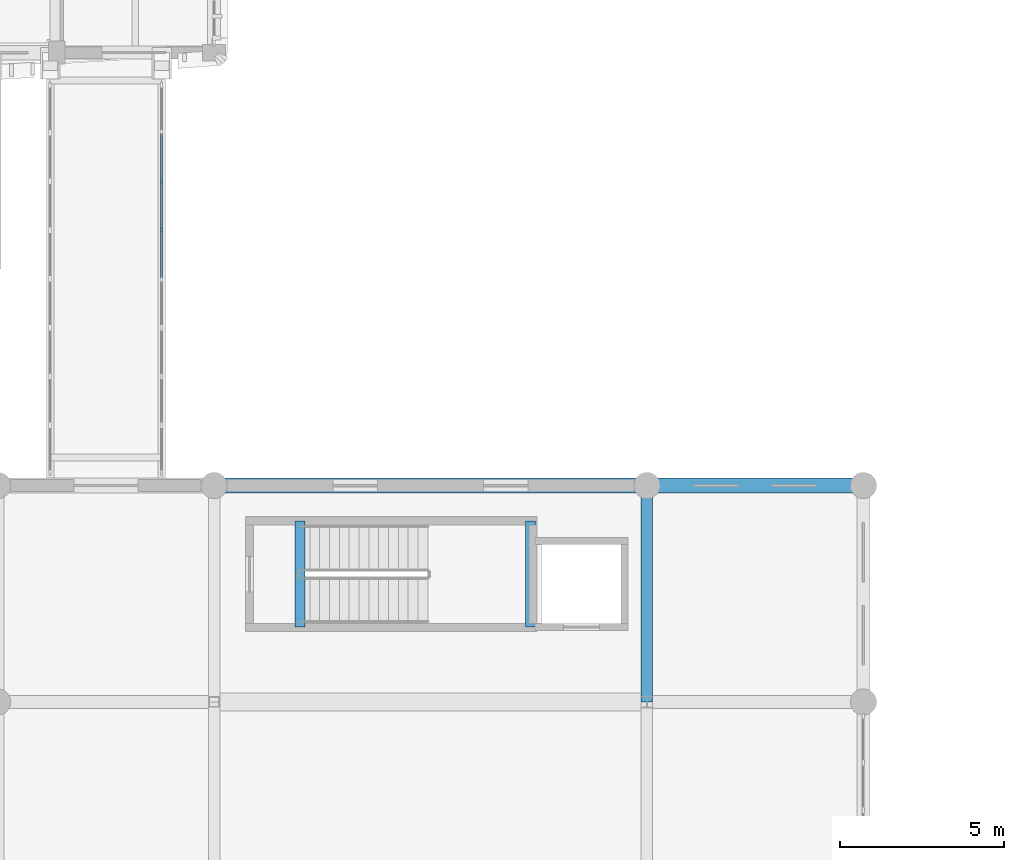
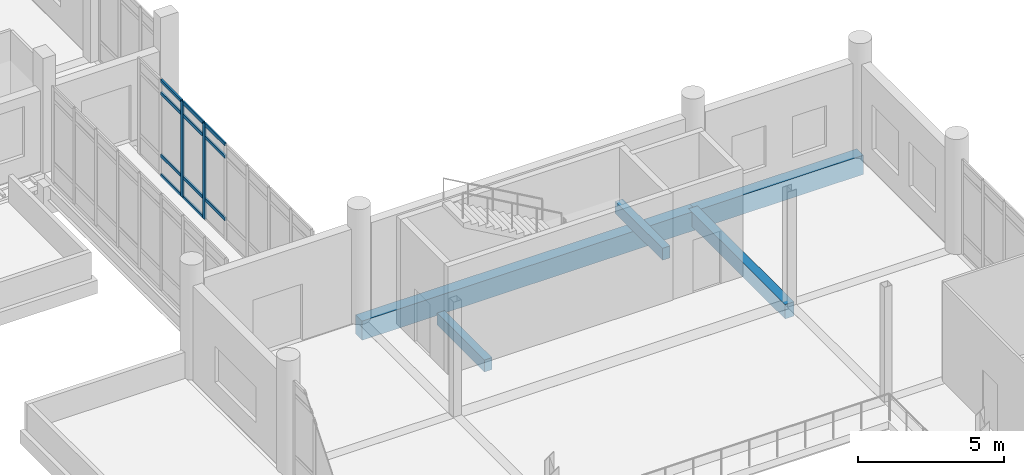
# One storey, part 29 of 125: 13 members, 5 beams, 1 element without a shape of its own.
"""IFC4 building model written with IfcOpenShell, lengths in metres."""

import ifcopenshell
import ifcopenshell.guid

model = None  # the IFC model being written
_history = None  # IfcOwnerHistory: only IFC2X3 demands one
_inside = {}  # id of a spatial element -> (the spatial element, [elements in it])
_under = {}  # id of a project, library or spatial element -> (it, [spatial elements below it])
_declared = {}  # id of a project -> (the project, [libraries it declares])
_typed = {}  # id of a type object -> (the type object, [elements of that type])
_made_of = {}  # id of a material, layer set ... -> (it, [elements and type objects made of it])


def new_model(schema):
    """Start an empty IFC model of exactly this schema.

    Asked for "IFC4X3", IfcOpenShell would pick the latest addendum, in which some entities
    have other attributes; the version numbers below select the first issue.
    IFC2X3 requires an IfcOwnerHistory on every rooted entity: one is made here for all.
    """
    global model, _history
    if schema == "IFC4X3":
        model = ifcopenshell.file(schema_version=(4, 3, 0, 0))
    else:
        model = ifcopenshell.file(schema=schema)
    _inside.clear()
    _under.clear()
    _declared.clear()
    _typed.clear()
    _made_of.clear()
    _history = None
    if model.schema == "IFC2X3":
        org = make("IfcOrganization", Name="unknown")
        user = make(
            "IfcPersonAndOrganization",
            ThePerson=make("IfcPerson", FamilyName="unknown"),
            TheOrganization=org,
        )
        app = make(
            "IfcApplication",
            ApplicationDeveloper=org,
            Version="unknown",
            ApplicationFullName="unknown",
            ApplicationIdentifier="unknown",
        )
        _history = make(
            "IfcOwnerHistory",
            OwningUser=user,
            OwningApplication=app,
            ChangeAction="ADDED",
            CreationDate=0,
        )
    return model


def make(cls, **values):
    """One entity of the class cls with the attributes given. An attribute that is None is left unset."""
    return model.create_entity(
        cls, **{name: value for name, value in values.items() if value is not None}
    )


def rooted(cls, **values):
    """An entity with a GlobalId (a new one), such as an element, a storey or a relation."""
    return make(cls, GlobalId=ifcopenshell.guid.new(), OwnerHistory=_history, **values)


def si_unit(unit_type, name, prefix=None):
    """IfcSIUnit, for example si_unit("LENGTHUNIT", "METRE", prefix="MILLI")."""
    return make("IfcSIUnit", UnitType=unit_type, Prefix=prefix, Name=name)


def assignment(units):
    """IfcUnitAssignment: the units of a project."""
    return None if units is None else make("IfcUnitAssignment", Units=units)


def point(xyz):
    """IfcCartesianPoint."""
    return None if xyz is None else make("IfcCartesianPoint", Coordinates=xyz)


def direction(xyz):
    """IfcDirection."""
    return None if xyz is None else make("IfcDirection", DirectionRatios=xyz)


def frame(location, z_axis=None, x_axis=None):
    """IfcAxis2Placement3D, a coordinate frame: its origin and axes. An axis left out is left unset."""
    return make(
        "IfcAxis2Placement3D",
        Location=point(location),
        Axis=direction(z_axis),
        RefDirection=direction(x_axis),
    )


def frame_2d(location, x_axis=None):
    """IfcAxis2Placement2D, a coordinate frame in the plane: its origin and x axis."""
    return make(
        "IfcAxis2Placement2D", Location=point(location), RefDirection=direction(x_axis)
    )


def origin():
    """The frame at (0, 0, 0) with its axes left unset."""
    return frame((0.0, 0.0, 0.0))


def origin_2d():
    """The frame at (0, 0) in the plane with its x axis left unset."""
    return frame_2d((0.0, 0.0))


def place(relative_to, where):
    """IfcLocalPlacement: puts the frame where relative to a parent placement (None: the world)."""
    return make(
        "IfcLocalPlacement", PlacementRelTo=relative_to, RelativePlacement=where
    )


def context(
    kind, dimensions, precision=None, world=None, true_north=None, identifier=None
):
    """IfcGeometricRepresentationContext, for example the 3D "Model" context."""
    return make(
        "IfcGeometricRepresentationContext",
        ContextIdentifier=identifier,
        ContextType=kind,
        CoordinateSpaceDimension=dimensions,
        Precision=precision,
        WorldCoordinateSystem=world,
        TrueNorth=true_north,
    )


def subcontext(parent, identifier, kind, view, scale=None):
    """IfcGeometricRepresentationSubContext, for example "Body" below "Model"."""
    return make(
        "IfcGeometricRepresentationSubContext",
        ContextIdentifier=identifier,
        ContextType=kind,
        ParentContext=parent,
        TargetScale=scale,
        TargetView=view,
    )


def project(units=None, contexts=None):
    """IfcProject with its units and contexts."""
    return rooted(
        "IfcProject",
        Name="project",
        RepresentationContexts=contexts,
        UnitsInContext=assignment(units),
    )


def spatial(cls, under=None, at=None, **own):
    """A site, building, storey or space (cls), placed at a placement, below another one or the project."""
    s = rooted(cls, ObjectPlacement=at, **own)
    if under is not None:
        _under.setdefault(under.id(), (under, []))[1].append(s)
    return s


def profile(cls, at=None, kind="AREA", **sizes):
    """A parametric profile (cls). Its sizes go by their IFC names, for example OverallWidth=200.0."""
    return make(cls, ProfileType=kind, Position=at, **sizes)


def rectangle(**sizes):
    """IfcRectangleProfileDef."""
    return profile("IfcRectangleProfileDef", **sizes)


def extrude(swept, where, along, depth):
    """IfcExtrudedAreaSolid: the profile swept, set in the frame where, extruded along a direction by depth."""
    return make(
        "IfcExtrudedAreaSolid",
        SweptArea=swept,
        Position=where,
        ExtrudedDirection=direction(along),
        Depth=depth,
    )


def shape(context_of_items, identifier, shape_type, items):
    """IfcShapeRepresentation: the items that make up one representation, for example the "Body"."""
    return make(
        "IfcShapeRepresentation",
        ContextOfItems=context_of_items,
        RepresentationIdentifier=identifier,
        RepresentationType=shape_type,
        Items=items,
    )


def material(Name=None, Category=None):
    """IfcMaterial."""
    return make("IfcMaterial", Name=Name, Category=Category)


def material_profile(
    of_material, cross_section, Name=None, Category=None, Priority=None
):
    """IfcMaterialProfile: a cross section and its material."""
    return make(
        "IfcMaterialProfile",
        Name=Name,
        Material=of_material,
        Profile=cross_section,
        Priority=Priority,
        Category=Category,
    )


def profile_set(profiles, Name=None, composite=None):
    """IfcMaterialProfileSet."""
    return make(
        "IfcMaterialProfileSet",
        Name=Name,
        MaterialProfiles=profiles,
        CompositeProfile=composite,
    )


def made_of(thing, what):
    """Note that an element or type object is made of a material, layer set ...; save() writes the relation."""
    if what is not None:
        _made_of.setdefault(what.id(), (what, []))[1].append(thing)
    return thing


def type_object(cls, material=None, **own):
    """A type object (cls), such as IfcWallType, which elements share."""
    return made_of(rooted(cls, **own), material)


def element(
    cls,
    number,
    at=None,
    inside=None,
    cuts=None,
    type_object=None,
    material=None,
    context=None,
    identifier="Body",
    shape_type=None,
    held_by="IfcProductDefinitionShape",
    body=None,
    shapes=None,
    **own,
):
    """One element of the class cls, such as IfcWall. Its Tag is "e" and its number.

    at: its placement. inside: the storey or other place that contains it. cuts: it is an
    opening in that element (IfcRelVoidsElement). A single representation is given by context,
    identifier, shape_type and body (its items); several are given by shapes. held_by: the class
    of the entity that holds the representations. save() writes the other relations.
    """
    e = rooted(cls, Tag="e%d" % number, ObjectPlacement=at, **own)
    if body is not None:
        shapes = [shape(context, identifier, shape_type, body)]
    if shapes is not None:
        e.Representation = make(held_by, Representations=shapes)
    if inside is not None:
        _inside.setdefault(inside.id(), (inside, []))[1].append(e)
    if cuts is not None:
        rooted(
            "IfcRelVoidsElement", RelatingBuildingElement=cuts, RelatedOpeningElement=e
        )
    if type_object is not None:
        _typed.setdefault(type_object.id(), (type_object, []))[1].append(e)
    return made_of(e, material)


def aggregate(whole, parts):
    """IfcRelAggregates: a whole, such as a stair, and the parts it consists of."""
    return rooted("IfcRelAggregates", RelatingObject=whole, RelatedObjects=parts)


def save(model, path):
    """Write the relations noted so far, then the file.

    IfcRelAggregates (storeys below a building ...), IfcRelContainedInSpatialStructure (elements
    in a storey), IfcRelDefinesByType, IfcRelAssociatesMaterial and IfcRelDeclares: one each for
    every whole, place, type object, material and project.
    """
    for whole, parts in _under.values():
        aggregate(whole, parts)
    for where, things in _inside.values():
        rooted(
            "IfcRelContainedInSpatialStructure",
            RelatedElements=things,
            RelatingStructure=where,
        )
    for kind, things in _typed.values():
        rooted("IfcRelDefinesByType", RelatedObjects=things, RelatingType=kind)
    for what, things in _made_of.values():
        rooted("IfcRelAssociatesMaterial", RelatedObjects=things, RelatingMaterial=what)
    for by, libraries in _declared.values():
        rooted("IfcRelDeclares", RelatingContext=by, RelatedDefinitions=libraries)
    model.write(path)


model = new_model("IFC4")

# Units and contexts
model_context = context("Model", 3, precision=1e-05, world=origin(), true_north=direction((0.0, 1.0)))
body_context = subcontext(model_context, "Body", "Model", "MODEL_VIEW")
ifc_project = project(units=[si_unit("LENGTHUNIT", "METRE"), si_unit("AREAUNIT", "SQUARE_METRE"), si_unit("VOLUMEUNIT", "CUBIC_METRE"), si_unit("PLANEANGLEUNIT", "RADIAN"), si_unit("MASSUNIT", "GRAM", prefix="KILO")], contexts=[model_context])

# Site, building, storey
site_placement = place(None, origin())
site = spatial("IfcSite", under=ifc_project, at=site_placement, CompositionType="ELEMENT")
building_placement = place(site_placement, origin())
building = spatial("IfcBuilding", under=site, at=building_placement, Name="Dornvale Research Institute", CompositionType="ELEMENT")
storey_placement = place(building_placement, frame((0.0, 0.0, 5.39990234375)))
storey = spatial("IfcBuildingStorey", under=building, at=storey_placement, Name="L01", CompositionType="ELEMENT", Elevation=5.39990234375)

# Beams
ifc_material_1 = material(Name="Concrete f'c 45 MPa (C35/45)", Category="concrete")
ifc_material_profile_1 = material_profile(ifc_material_1, rectangle(XDim=0.300048828125, YDim=0.5, at=origin_2d()), Name="RC 300x500")
ifc_profile_set_1 = profile_set([ifc_material_profile_1], Name="Concrete f'c 45 MPa (C35/45)")
beam_type_1 = type_object("IfcBeamType", Name="Beam_RC300x500_Trim", PredefinedType="BEAM", material=ifc_profile_set_1)
for number, where, z_axis, x_axis, name in (
    (1, (48.820068359375, 81.47998046875, -0.25), (0.0, 1.0, 0.0), (-1.0, 0.0, 0.0), "L01 ST-8 stair landing trimmer beam #102"),
    (2, (55.85009765625, 81.47998046875, 1.9501953125), (0.0, 1.0, 0.0), (-1.0, 0.0, 0.0), "L01 ST-8 half-landing support beam #107"),
):
    element("IfcBeam", number, at=place(storey_placement, frame(where, z_axis=z_axis, x_axis=x_axis)), inside=storey, type_object=beam_type_1, Name=name, PredefinedType="BEAM", context=body_context, shape_type="SweptSolid", body=[
        extrude(rectangle(XDim=0.300048828125, YDim=0.5, at=origin_2d()), origin(), (0.0, 0.0, 1.0), 3.239990234375),
    ])
ifc_material_2 = material(Name="Concrete f'c 45 MPa (C35/45)", Category="concrete")
ifc_material_profile_2 = material_profile(ifc_material_2, rectangle(XDim=0.35009765625, YDim=0.60009765625, at=origin_2d()), Name="RC 350x600")
ifc_profile_set_2 = profile_set([ifc_material_profile_2], Name="Concrete f'c 45 MPa (C35/45)")
beam_type_2 = type_object("IfcBeamType", Name="Beam_RC350x600_Floor", PredefinedType="BEAM", material=ifc_profile_set_2)
beam_1_placement = place(storey_placement, frame((59.39990234375, 79.199951171875, -0.2998046875), z_axis=(0.0, 1.0, 0.0), x_axis=(-1.0, 0.0, 0.0)))
element("IfcBeam", 3, at=beam_1_placement, inside=storey, type_object=beam_type_2, Name="L01 transverse girder #544", PredefinedType="BEAM", context=body_context, shape_type="SweptSolid", body=[
    extrude(rectangle(XDim=0.35009765625, YDim=0.60009765625, at=origin_2d()), origin(), (0.0, 0.0, 1.0), 6.60009765625),
])

# Curtain wall, members
ifc_material_3 = material(Name="Low-E Argon Double Insulating Glazing Unit", Category="glass")
curtain_wall_type = type_object("IfcCurtainWallType", Name="UnitisedCurtainWall_V2_11900x4000", PredefinedType="USERDEFINED", material=ifc_material_3)
curtain_wall_placement = place(storey_placement, origin())
curtain_wall = element("IfcCurtainWall", 4, at=curtain_wall_placement, inside=storey, type_object=curtain_wall_type, Name="L01 V2 unitised curtain wall CW-40 #208", ObjectType="UNITISED CURTAIN WALL", PredefinedType="USERDEFINED")
ifc_material_4 = material(Name="Anodized Aluminum AA 6063-T6 Thermally Broken Frame", Category="aluminium")
ifc_material_profile_3 = material_profile(ifc_material_4, rectangle(XDim=0.06494140625, YDim=0.1650390625, at=origin_2d()), Name="ALU MULLION 65x165")
ifc_profile_set_3 = profile_set([ifc_material_profile_3], Name="Anodized Aluminum AA 6063-T6 Thermally Broken Frame")
member_type_1 = type_object("IfcMemberType", Name="Mullion_Atrium_65x165", PredefinedType="MULLION", material=ifc_profile_set_3)
member_1_placement = place(storey_placement, frame((44.60009765625, 95.074951171875, 0.0), z_axis=(0.0, 0.0, 1.0), x_axis=(1.0, 0.0, 0.0)))
member_1 = element("IfcMember", 5, at=member_1_placement, type_object=member_type_1, Name="CW-40 mullion 3", PredefinedType="MULLION", context=body_context, shape_type="SweptSolid", body=[
    extrude(rectangle(XDim=0.06494140625, YDim=0.1650390625, at=origin_2d()), origin(), (0.0, 0.0, 1.0), 4.0),
])
member_2_placement = place(storey_placement, frame((44.60009765625, 93.58740234375, 0.0), z_axis=(0.0, 0.0, 1.0), x_axis=(1.0, 0.0, 0.0)))
member_2 = element("IfcMember", 6, at=member_2_placement, type_object=member_type_1, Name="CW-40 mullion 4", PredefinedType="MULLION", context=body_context, shape_type="SweptSolid", body=[
    extrude(rectangle(XDim=0.06494140625, YDim=0.1650390625, at=origin_2d()), origin(), (0.0, 0.0, 1.0), 4.0),
])

# Beams
ifc_material_5 = material(Name="Concrete f'c 45 MPa (C35/45)", Category="concrete")
ifc_material_profile_4 = material_profile(ifc_material_5, rectangle(XDim=0.449951171875, YDim=0.800048828125, at=origin_2d()), Name="RC 450x800")
ifc_profile_set_4 = profile_set([ifc_material_profile_4], Name="Concrete f'c 45 MPa (C35/45)")
beam_type_3 = type_object("IfcBeamType", Name="Spandrel_RC450x800_Ext", PredefinedType="SPANDREL", material=ifc_profile_set_4)
beam_2_placement = place(storey_placement, frame((46.199951171875, 85.800048828125, -0.39990234375), z_axis=(1.0, 0.0, 0.0), x_axis=(0.0, 1.0, 0.0)))
element("IfcBeam", 7, at=beam_2_placement, inside=storey, type_object=beam_type_3, Name="L01 perimeter spandrel #522", PredefinedType="SPANDREL", context=body_context, shape_type="SweptSolid", body=[
    extrude(rectangle(XDim=0.449951171875, YDim=0.800048828125, at=origin_2d()), origin(), (0.0, 0.0, 1.0), 13.199951171875),
])
beam_3_placement = place(storey_placement, frame((59.39990234375, 85.800048828125, -0.39990234375), z_axis=(1.0, 0.0, 0.0), x_axis=(0.0, 1.0, 0.0)))
element("IfcBeam", 8, at=beam_3_placement, inside=storey, type_object=beam_type_3, Name="L01 perimeter spandrel #523", PredefinedType="SPANDREL", context=body_context, shape_type="SweptSolid", body=[
    extrude(rectangle(XDim=0.449951171875, YDim=0.800048828125, at=origin_2d()), origin(), (0.0, 0.0, 1.0), 6.60009765625),
])

# Member
ifc_material_6 = material(Name="Anodized Aluminum AA 6063-T6 Thermally Broken Frame", Category="aluminium")
ifc_material_profile_5 = material_profile(ifc_material_6, rectangle(XDim=0.06494140625, YDim=0.135009765625, at=origin_2d()), Name="ALU TRANSOM 65x135")
ifc_profile_set_5 = profile_set([ifc_material_profile_5], Name="Anodized Aluminum AA 6063-T6 Thermally Broken Frame")
member_type_2 = type_object("IfcMemberType", Name="Transom_CW_65x135", PredefinedType="USERDEFINED", material=ifc_profile_set_5)
member_3_placement = place(storey_placement, frame((44.60009765625, 96.530029296875, 0.03271484375), z_axis=(0.0, -1.0, 0.0), x_axis=(1.0, 0.0, 0.0)))
member_3 = element("IfcMember", 9, at=member_3_placement, type_object=member_type_2, Name="CW-40 transom 2.1", ObjectType="TRANSOM", PredefinedType="USERDEFINED", context=body_context, shape_type="SweptSolid", body=[
    extrude(rectangle(XDim=0.06494140625, YDim=0.135009765625, at=origin_2d()), origin(), (0.0, 0.0, 1.0), 1.422607421875),
])

member_4_placement = place(storey_placement, frame((44.60009765625, 96.530029296875, 0.85009765625), z_axis=(0.0, -1.0, 0.0), x_axis=(1.0, 0.0, 0.0)))
member_4 = element("IfcMember", 10, at=member_4_placement, type_object=member_type_2, Name="CW-40 transom 2.2", ObjectType="TRANSOM", PredefinedType="USERDEFINED", context=body_context, shape_type="SweptSolid", body=[
    extrude(rectangle(XDim=0.06494140625, YDim=0.135009765625, at=origin_2d()), origin(), (0.0, 0.0, 1.0), 1.422607421875),
])

member_5_placement = place(storey_placement, frame((44.60009765625, 96.530029296875, 3.4501953125), z_axis=(0.0, -1.0, 0.0), x_axis=(1.0, 0.0, 0.0)))
member_5 = element("IfcMember", 11, at=member_5_placement, type_object=member_type_2, Name="CW-40 transom 2.3", ObjectType="TRANSOM", PredefinedType="USERDEFINED", context=body_context, shape_type="SweptSolid", body=[
    extrude(rectangle(XDim=0.06494140625, YDim=0.135009765625, at=origin_2d()), origin(), (0.0, 0.0, 1.0), 1.422607421875),
])

member_6_placement = place(storey_placement, frame((44.60009765625, 96.530029296875, 3.967529296875), z_axis=(0.0, -1.0, 0.0), x_axis=(1.0, 0.0, 0.0)))
member_6 = element("IfcMember", 12, at=member_6_placement, type_object=member_type_2, Name="CW-40 transom 2.4", ObjectType="TRANSOM", PredefinedType="USERDEFINED", context=body_context, shape_type="SweptSolid", body=[
    extrude(rectangle(XDim=0.06494140625, YDim=0.135009765625, at=origin_2d()), origin(), (0.0, 0.0, 1.0), 1.422607421875),
])

member_7_placement = place(storey_placement, frame((44.60009765625, 95.04248046875, 0.03271484375), z_axis=(0.0, -1.0, 0.0), x_axis=(1.0, 0.0, 0.0)))
member_7 = element("IfcMember", 13, at=member_7_placement, type_object=member_type_2, Name="CW-40 transom 3.1", ObjectType="TRANSOM", PredefinedType="USERDEFINED", context=body_context, shape_type="SweptSolid", body=[
    extrude(rectangle(XDim=0.06494140625, YDim=0.135009765625, at=origin_2d()), origin(), (0.0, 0.0, 1.0), 1.42236328125),
])

member_8_placement = place(storey_placement, frame((44.60009765625, 95.04248046875, 0.85009765625), z_axis=(0.0, -1.0, 0.0), x_axis=(1.0, 0.0, 0.0)))
member_8 = element("IfcMember", 14, at=member_8_placement, type_object=member_type_2, Name="CW-40 transom 3.2", ObjectType="TRANSOM", PredefinedType="USERDEFINED", context=body_context, shape_type="SweptSolid", body=[
    extrude(rectangle(XDim=0.06494140625, YDim=0.135009765625, at=origin_2d()), origin(), (0.0, 0.0, 1.0), 1.42236328125),
])

member_9_placement = place(storey_placement, frame((44.60009765625, 95.04248046875, 3.4501953125), z_axis=(0.0, -1.0, 0.0), x_axis=(1.0, 0.0, 0.0)))
member_9 = element("IfcMember", 15, at=member_9_placement, type_object=member_type_2, Name="CW-40 transom 3.3", ObjectType="TRANSOM", PredefinedType="USERDEFINED", context=body_context, shape_type="SweptSolid", body=[
    extrude(rectangle(XDim=0.06494140625, YDim=0.135009765625, at=origin_2d()), origin(), (0.0, 0.0, 1.0), 1.42236328125),
])

member_10_placement = place(storey_placement, frame((44.60009765625, 95.04248046875, 3.967529296875), z_axis=(0.0, -1.0, 0.0), x_axis=(1.0, 0.0, 0.0)))
member_10 = element("IfcMember", 16, at=member_10_placement, type_object=member_type_2, Name="CW-40 transom 3.4", ObjectType="TRANSOM", PredefinedType="USERDEFINED", context=body_context, shape_type="SweptSolid", body=[
    extrude(rectangle(XDim=0.06494140625, YDim=0.135009765625, at=origin_2d()), origin(), (0.0, 0.0, 1.0), 1.42236328125),
])

member_11_placement = place(storey_placement, frame((44.60009765625, 93.554931640625, 0.85009765625), z_axis=(0.0, -1.0, 0.0), x_axis=(1.0, 0.0, 0.0)))
member_11 = element("IfcMember", 17, at=member_11_placement, type_object=member_type_2, Name="CW-40 transom 4.2", ObjectType="TRANSOM", PredefinedType="USERDEFINED", context=body_context, shape_type="SweptSolid", body=[
    extrude(rectangle(XDim=0.06494140625, YDim=0.135009765625, at=origin_2d()), origin(), (0.0, 0.0, 1.0), 1.42236328125),
])

member_12_placement = place(storey_placement, frame((44.60009765625, 93.554931640625, 3.4501953125), z_axis=(0.0, -1.0, 0.0), x_axis=(1.0, 0.0, 0.0)))
member_12 = element("IfcMember", 18, at=member_12_placement, type_object=member_type_2, Name="CW-40 transom 4.3", ObjectType="TRANSOM", PredefinedType="USERDEFINED", context=body_context, shape_type="SweptSolid", body=[
    extrude(rectangle(XDim=0.06494140625, YDim=0.135009765625, at=origin_2d()), origin(), (0.0, 0.0, 1.0), 1.42236328125),
])

member_13_placement = place(storey_placement, frame((44.60009765625, 93.554931640625, 3.967529296875), z_axis=(0.0, -1.0, 0.0), x_axis=(1.0, 0.0, 0.0)))
member_13 = element("IfcMember", 19, at=member_13_placement, type_object=member_type_2, Name="CW-40 transom 4.4", ObjectType="TRANSOM", PredefinedType="USERDEFINED", context=body_context, shape_type="SweptSolid", body=[
    extrude(rectangle(XDim=0.06494140625, YDim=0.135009765625, at=origin_2d()), origin(), (0.0, 0.0, 1.0), 1.42236328125),
])

aggregate(curtain_wall, [member_1, member_2, member_3, member_4, member_5, member_6, member_7, member_8, member_9, member_10, member_11, member_12, member_13])

save(model, "model.ifc")
